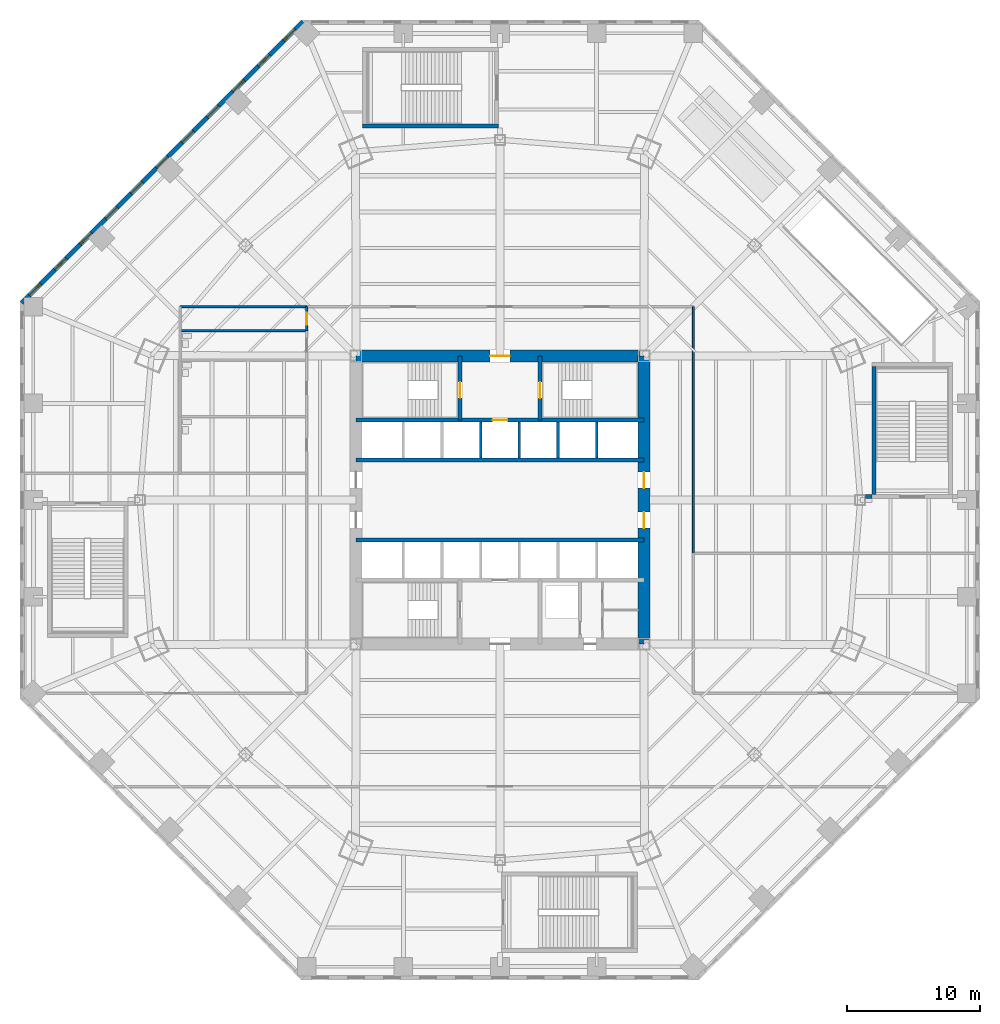
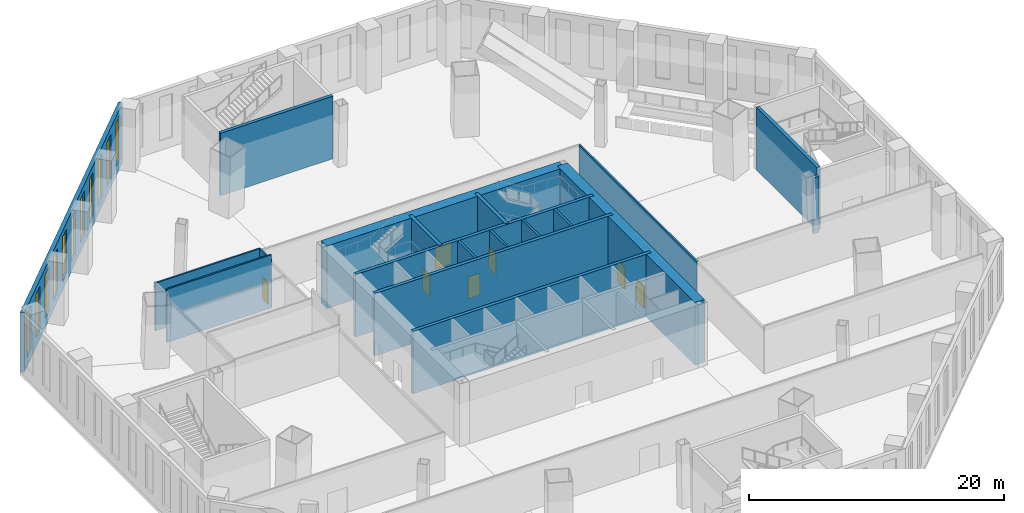
# One storey, part 11 of 20: 19 walls, 11 windows, 7 doors, 18 openings.
"""IFC4 building model written with IfcOpenShell, lengths in metres."""

from ifc_helpers import new_model, si_unit, direction, frame, frame_2d, origin, place, context, subcontext, project, spatial, rectangle, extrude, material, layer, layer_set, type_object, element, fill, save


model = new_model("IFC4")

# Units and contexts
model_context = context("Model", 3, precision=1e-05, world=origin(), true_north=direction((0.0, 1.0)))
body_context = subcontext(model_context, "Body", "Model", "MODEL_VIEW")
ifc_project = project(units=[si_unit("LENGTHUNIT", "METRE"), si_unit("AREAUNIT", "SQUARE_METRE"), si_unit("VOLUMEUNIT", "CUBIC_METRE"), si_unit("PLANEANGLEUNIT", "RADIAN"), si_unit("MASSUNIT", "GRAM", prefix="KILO")], contexts=[model_context])

# Site, building, storey
site_placement = place(None, origin())
site = spatial("IfcSite", under=ifc_project, at=site_placement, CompositionType="ELEMENT")
building_placement = place(site_placement, origin())
building = spatial("IfcBuilding", under=site, at=building_placement, Name="Mashrafa Tower", CompositionType="ELEMENT")
storey_placement = place(building_placement, frame((0.0, 0.0, 7.199951171875)))
storey = spatial("IfcBuildingStorey", under=building, at=storey_placement, Name="L01", CompositionType="ELEMENT", Elevation=7.199951171875)

# Wall
ifc_material_1 = material(Name="Concrete C60/75", Category="concrete")
ifc_layer_1 = layer(ifc_material_1, 0.300048828125)
ifc_layer_set_1 = layer_set([ifc_layer_1], Name="Core wall 300 C60/75")
wall_type_1 = type_object("IfcWallType", Name="Core wall 300 C60/75", PredefinedType="SOLIDWALL", material=ifc_layer_set_1)
wall_1_placement = place(storey_placement, frame((-10.800048828125, 3.0, 0.0), z_axis=(0.0, 0.0, 1.0), x_axis=(1.0, 0.0, 0.0)))
element("IfcWall", 1, at=wall_1_placement, inside=storey, type_object=wall_type_1, Name="Core wall CH-N L01", PredefinedType="SOLIDWALL", context=body_context, shape_type="SweptSolid", body=[
    extrude(rectangle(XDim=21.60009765625, YDim=0.300048828125, at=frame_2d((10.800048828125, 0.0))), origin(), (0.0, 0.0, 1.0), 6.0),
])

# Wall, opening, door
wall_2_placement = place(storey_placement, frame((-10.800048828125, 6.0, 0.0), z_axis=(0.0, 0.0, 1.0), x_axis=(1.0, 0.0, 0.0)))
wall_2 = element("IfcWall", 2, at=wall_2_placement, inside=storey, type_object=wall_type_1, Name="Core wall CB-N L01", PredefinedType="SOLIDWALL", context=body_context, shape_type="SweptSolid", body=[
    extrude(rectangle(XDim=21.60009765625, YDim=0.300048828125, at=frame_2d((10.800048828125, 0.0))), origin(), (0.0, 0.0, 1.0), 6.0),
])
opening_1_placement = place(wall_2_placement, frame((10.25, 0.0, 0.0)))
opening_1 = element("IfcOpeningElement", 3, at=opening_1_placement, cuts=wall_2, Name="Opening 01.F1", PredefinedType="OPENING", context=body_context, shape_type="SweptSolid", body=[
    extrude(rectangle(XDim=1.10009765625, YDim=2.10009765625, at=frame_2d((0.550048828125, 1.050048828125))), frame((0.0, 0.159912109375, 0.0), z_axis=(0.0, -1.0, 0.0), x_axis=(1.0, 0.0, 0.0)), (0.0, 0.0, 1.0), 0.320068359375),
])
ifc_material_2 = material(Name="Steel door", Category="steel")
door_type_1 = type_object("IfcDoorType", Name="Lift landing door 1100 x 2100 90 min", OperationType="DOUBLE_DOOR_SLIDING", PredefinedType="DOOR", material=ifc_material_2)
door_1_placement = place(opening_1_placement, origin())
door_1 = element("IfcDoor", 4, at=door_1_placement, inside=storey, type_object=door_type_1, Name="Lift landing door F1 L01", OperationType="DOUBLE_DOOR_SLIDING", OverallHeight=2.10009765625, OverallWidth=1.10009765625, PredefinedType="DOOR", context=body_context, shape_type="SweptSolid", body=[
    extrude(rectangle(XDim=1.10009765625, YDim=2.10009765625, at=frame_2d((0.550048828125, 1.050048828125))), frame((0.0, 0.02490234375, 0.0), z_axis=(0.0, -1.0, 0.0), x_axis=(1.0, 0.0, 0.0)), (0.0, 0.0, 1.0), 0.050048828125),
])
fill(opening_1, door_1)

wall_3_placement = place(storey_placement, frame((-3.0, 6.0, 0.0), z_axis=(0.0, 0.0, 1.0), x_axis=(0.0, 1.0, 0.0)))
wall_3 = element("IfcWall", 5, at=wall_3_placement, inside=storey, type_object=wall_type_1, Name="Core wall CX-NW L01", PredefinedType="SOLIDWALL", context=body_context, shape_type="SweptSolid", body=[
    extrude(rectangle(XDim=4.800048828125, YDim=0.300048828125, at=frame_2d((2.39990234375, 0.0))), origin(), (0.0, 0.0, 1.0), 6.0),
])
opening_2_placement = place(wall_3_placement, frame((1.64990234375, 0.0, 0.0)))
opening_2 = element("IfcOpeningElement", 6, at=opening_2_placement, cuts=wall_3, Name="Opening 01.017", PredefinedType="OPENING", context=body_context, shape_type="SweptSolid", body=[
    extrude(rectangle(XDim=1.199951171875, YDim=2.10009765625, at=frame_2d((0.60009765625, 1.050048828125))), frame((0.0, 0.159912109375, 0.0), z_axis=(0.0, -1.0, 0.0), x_axis=(1.0, 0.0, 0.0)), (0.0, 0.0, 1.0), 0.320068359375),
])
ifc_material_3 = material(Name="Steel door", Category="steel")
door_type_2 = type_object("IfcDoorType", Name="Stair door 1200 x 2100 90 min", OperationType="USERDEFINED", PredefinedType="DOOR", material=ifc_material_3)
door_2_placement = place(opening_2_placement, origin())
door_2 = element("IfcDoor", 7, at=door_2_placement, inside=storey, type_object=door_type_2, Name="Stair S1 door L01", OperationType="SINGLE_SWING_LEFT", OverallHeight=2.10009765625, OverallWidth=1.199951171875, PredefinedType="DOOR", context=body_context, shape_type="SweptSolid", body=[
    extrude(rectangle(XDim=1.199951171875, YDim=2.10009765625, at=frame_2d((0.60009765625, 1.050048828125))), frame((0.0, 0.02490234375, 0.0), z_axis=(0.0, -1.0, 0.0), x_axis=(1.0, 0.0, 0.0)), (0.0, 0.0, 1.0), 0.050048828125),
])
fill(opening_2, door_2)

wall_4_placement = place(storey_placement, frame((3.0, 6.0, 0.0), z_axis=(0.0, 0.0, 1.0), x_axis=(0.0, 1.0, 0.0)))
wall_4 = element("IfcWall", 8, at=wall_4_placement, inside=storey, type_object=wall_type_1, Name="Core wall CX-NE L01", PredefinedType="SOLIDWALL", context=body_context, shape_type="SweptSolid", body=[
    extrude(rectangle(XDim=4.800048828125, YDim=0.300048828125, at=frame_2d((2.39990234375, 0.0))), origin(), (0.0, 0.0, 1.0), 6.0),
])
opening_3_placement = place(wall_4_placement, frame((1.64990234375, 0.0, 0.0)))
opening_3 = element("IfcOpeningElement", 9, at=opening_3_placement, cuts=wall_4, Name="Opening 01.018", PredefinedType="OPENING", context=body_context, shape_type="SweptSolid", body=[
    extrude(rectangle(XDim=1.199951171875, YDim=2.10009765625, at=frame_2d((0.60009765625, 1.050048828125))), frame((0.0, 0.159912109375, 0.0), z_axis=(0.0, -1.0, 0.0), x_axis=(1.0, 0.0, 0.0)), (0.0, 0.0, 1.0), 0.320068359375),
])
door_3_placement = place(opening_3_placement, frame((1.199951171875, 0.0, 0.0), z_axis=(0.0, 0.0, 1.0), x_axis=(-1.0, 0.0, 0.0)))
door_3 = element("IfcDoor", 10, at=door_3_placement, inside=storey, type_object=door_type_2, Name="Stair S2 door L01", OperationType="SINGLE_SWING_RIGHT", OverallHeight=2.10009765625, OverallWidth=1.199951171875, PredefinedType="DOOR", context=body_context, shape_type="SweptSolid", body=[
    extrude(rectangle(XDim=1.199951171875, YDim=2.10009765625, at=frame_2d((0.60009765625, 1.050048828125))), frame((0.0, 0.02490234375, 0.0), z_axis=(0.0, -1.0, 0.0), x_axis=(1.0, 0.0, 0.0)), (0.0, 0.0, 1.0), 0.050048828125),
])
fill(opening_3, door_3)

# Wall
wall_5_placement = place(storey_placement, frame((-10.800048828125, -3.0, 0.0), z_axis=(0.0, 0.0, 1.0), x_axis=(1.0, 0.0, 0.0)))
element("IfcWall", 11, at=wall_5_placement, inside=storey, type_object=wall_type_1, Name="Core wall CH-S L01", PredefinedType="SOLIDWALL", context=body_context, shape_type="SweptSolid", body=[
    extrude(rectangle(XDim=21.60009765625, YDim=0.300048828125, at=frame_2d((10.800048828125, 0.0))), origin(), (0.0, 0.0, 1.0), 6.0),
])

# Wall, openings, doors
ifc_material_4 = material(Name="Concrete C60/75", Category="concrete")
ifc_layer_2 = layer(ifc_material_4, 0.89990234375)
ifc_layer_set_2 = layer_set([ifc_layer_2], Name="Core wall 900 C60/75")
wall_type_2 = type_object("IfcWallType", Name="Core wall 900 C60/75", PredefinedType="SOLIDWALL", material=ifc_layer_set_2)
wall_6_placement = place(storey_placement, frame((10.800048828125, -10.800048828125, 0.0), z_axis=(0.0, 0.0, 1.0), x_axis=(0.0, 1.0, 0.0)))
wall_6 = element("IfcWall", 12, at=wall_6_placement, inside=storey, type_object=wall_type_2, Name="Core wall CW-E L01", PredefinedType="SOLIDWALL", context=body_context, shape_type="SweptSolid", body=[
    extrude(rectangle(XDim=21.60009765625, YDim=0.89990234375, at=frame_2d((10.800048828125, 0.0))), origin(), (0.0, 0.0, 1.0), 6.0),
])
opening_4_placement = place(wall_6_placement, frame((11.699951171875, 0.0, 0.0)))
opening_4 = element("IfcOpeningElement", 13, at=opening_4_placement, cuts=wall_6, Name="Opening 01.011", PredefinedType="OPENING", context=body_context, shape_type="SweptSolid", body=[
    extrude(rectangle(XDim=1.199951171875, YDim=2.10009765625, at=frame_2d((0.60009765625, 1.050048828125))), frame((0.0, 0.4599609375, 0.0), z_axis=(0.0, -1.0, 0.0), x_axis=(1.0, 0.0, 0.0)), (0.0, 0.0, 1.0), 0.919921875),
])
opening_5_placement = place(wall_6_placement, frame((8.699951171875, 0.0, 0.0)))
opening_5 = element("IfcOpeningElement", 14, at=opening_5_placement, cuts=wall_6, Name="Opening 01.013", PredefinedType="OPENING", context=body_context, shape_type="SweptSolid", body=[
    extrude(rectangle(XDim=1.199951171875, YDim=2.10009765625, at=frame_2d((0.60009765625, 1.050048828125))), frame((0.0, 0.4599609375, 0.0), z_axis=(0.0, -1.0, 0.0), x_axis=(1.0, 0.0, 0.0)), (0.0, 0.0, 1.0), 0.919921875),
])
ifc_material_5 = material(Name="Steel door", Category="steel")
door_type_3 = type_object("IfcDoorType", Name="Lift hall door 1200 x 2100 90 min", OperationType="USERDEFINED", PredefinedType="DOOR", material=ifc_material_5)
door_4_placement = place(opening_4_placement, frame((1.199951171875, 0.0, 0.0), z_axis=(0.0, 0.0, 1.0), x_axis=(-1.0, 0.0, 0.0)))
door_4 = element("IfcDoor", 15, at=door_4_placement, inside=storey, type_object=door_type_3, Name="Lift hall door east L01", OperationType="SINGLE_SWING_LEFT", OverallHeight=2.10009765625, OverallWidth=1.199951171875, PredefinedType="DOOR", context=body_context, shape_type="SweptSolid", body=[
    extrude(rectangle(XDim=1.199951171875, YDim=2.10009765625, at=frame_2d((0.60009765625, 1.050048828125))), frame((0.0, 0.02490234375, 0.0), z_axis=(0.0, -1.0, 0.0), x_axis=(1.0, 0.0, 0.0)), (0.0, 0.0, 1.0), 0.050048828125),
])
fill(opening_4, door_4)
door_5_placement = place(opening_5_placement, frame((1.199951171875, 0.0, 0.0), z_axis=(0.0, 0.0, 1.0), x_axis=(-1.0, 0.0, 0.0)))
door_5 = element("IfcDoor", 16, at=door_5_placement, inside=storey, type_object=door_type_3, Name="Lift hall door east L01", OperationType="SINGLE_SWING_LEFT", OverallHeight=2.10009765625, OverallWidth=1.199951171875, PredefinedType="DOOR", context=body_context, shape_type="SweptSolid", body=[
    extrude(rectangle(XDim=1.199951171875, YDim=2.10009765625, at=frame_2d((0.60009765625, 1.050048828125))), frame((0.0, 0.02490234375, 0.0), z_axis=(0.0, -1.0, 0.0), x_axis=(1.0, 0.0, 0.0)), (0.0, 0.0, 1.0), 0.050048828125),
])
fill(opening_5, door_5)

# Wall, opening, door
wall_7_placement = place(storey_placement, frame((10.800048828125, 10.800048828125, 0.0), z_axis=(0.0, 0.0, 1.0), x_axis=(-1.0, 0.0, 0.0)))
wall_7 = element("IfcWall", 17, at=wall_7_placement, inside=storey, type_object=wall_type_2, Name="Core wall CW-N L01", PredefinedType="SOLIDWALL", context=body_context, shape_type="SweptSolid", body=[
    extrude(rectangle(XDim=21.60009765625, YDim=0.89990234375, at=frame_2d((10.800048828125, 0.0))), origin(), (0.0, 0.0, 1.0), 6.0),
])
opening_6_placement = place(wall_7_placement, frame((10.050048828125, 0.0, 0.0)))
opening_6 = element("IfcOpeningElement", 18, at=opening_6_placement, cuts=wall_7, Name="Opening 01.015", PredefinedType="OPENING", context=body_context, shape_type="SweptSolid", body=[
    extrude(rectangle(XDim=1.5, YDim=2.10009765625, at=frame_2d((0.75, 1.050048828125))), frame((0.0, 0.4599609375, 0.0), z_axis=(0.0, -1.0, 0.0), x_axis=(1.0, 0.0, 0.0)), (0.0, 0.0, 1.0), 0.919921875),
])
ifc_material_6 = material(Name="Steel door", Category="steel")
door_type_4 = type_object("IfcDoorType", Name="Lobby door pair 1500 x 2100 90 min", OperationType="DOUBLE_DOOR_SINGLE_SWING", PredefinedType="DOOR", material=ifc_material_6)
door_6_placement = place(opening_6_placement, origin())
door_6 = element("IfcDoor", 19, at=door_6_placement, inside=storey, type_object=door_type_4, Name="Fire-fighting lobby F1 door L01", OperationType="DOUBLE_DOOR_SINGLE_SWING", OverallHeight=2.10009765625, OverallWidth=1.5, PredefinedType="DOOR", context=body_context, shape_type="SweptSolid", body=[
    extrude(rectangle(XDim=1.5, YDim=2.10009765625, at=frame_2d((0.75, 1.050048828125))), frame((0.0, 0.02490234375, 0.0), z_axis=(0.0, -1.0, 0.0), x_axis=(1.0, 0.0, 0.0)), (0.0, 0.0, 1.0), 0.050048828125),
])
fill(opening_6, door_6)

ifc_material_7 = material(Name="Gypsum board on steel studs", Category="steel")
ifc_layer_3 = layer(ifc_material_7, 0.14990234375)
ifc_layer_set_3 = layer_set([ifc_layer_3], Name="Corridor partition 150 1 hr")
wall_type_3 = type_object("IfcWallType", Name="Corridor partition 150 1 hr", PredefinedType="PARTITIONING", material=ifc_layer_set_3)
wall_8_placement = place(storey_placement, frame((-14.5, 12.699951171875, 0.0), z_axis=(0.0, 0.0, 1.0), x_axis=(0.0, 1.0, 0.0)))
wall_8 = element("IfcWall", 20, at=wall_8_placement, inside=storey, type_object=wall_type_3, Name="Corridor wall L01-011", PredefinedType="PARTITIONING", context=body_context, shape_type="SweptSolid", body=[
    extrude(rectangle(XDim=1.800048828125, YDim=0.14990234375, at=frame_2d((0.89990234375, 0.0))), origin(), (0.0, 0.0, 1.0), 4.590087890625),
])
opening_7_placement = place(wall_8_placement, frame((0.449951171875, 0.0, 0.0)))
opening_7 = element("IfcOpeningElement", 21, at=opening_7_placement, cuts=wall_8, Name="Opening 01.004", PredefinedType="OPENING", context=body_context, shape_type="SweptSolid", body=[
    extrude(rectangle(XDim=0.89990234375, YDim=2.10009765625, at=frame_2d((0.449951171875, 1.050048828125))), frame((0.0, 0.0849609375, 0.0), z_axis=(0.0, -1.0, 0.0), x_axis=(1.0, 0.0, 0.0)), (0.0, 0.0, 1.0), 0.169921875),
])
ifc_material_8 = material(Name="Timber door", Category="wood")
door_type_5 = type_object("IfcDoorType", Name="Store door 900 x 2100", OperationType="USERDEFINED", PredefinedType="DOOR", material=ifc_material_8)
door_7_placement = place(opening_7_placement, origin())
door_7 = element("IfcDoor", 22, at=door_7_placement, inside=storey, type_object=door_type_5, Name="Cleaner's Store L01 door", OperationType="SINGLE_SWING_LEFT", OverallHeight=2.10009765625, OverallWidth=0.89990234375, PredefinedType="DOOR", context=body_context, shape_type="SweptSolid", body=[
    extrude(rectangle(XDim=0.89990234375, YDim=2.10009765625, at=frame_2d((0.449951171875, 1.050048828125))), frame((0.0, 0.02490234375, 0.0), z_axis=(0.0, -1.0, 0.0), x_axis=(1.0, 0.0, 0.0)), (0.0, 0.0, 1.0), 0.050048828125),
])
fill(opening_7, door_7)

# Wall
wall_9_placement = place(storey_placement, frame((14.5, -4.0009765625, 0.0), z_axis=(0.0, 0.0, 1.0), x_axis=(0.0, 1.0, 0.0)))
element("IfcWall", 23, at=wall_9_placement, inside=storey, type_object=wall_type_3, Name="Corridor wall L01-020", PredefinedType="PARTITIONING", context=body_context, shape_type="SweptSolid", body=[
    extrude(rectangle(XDim=18.5009765625, YDim=0.14990234375, at=frame_2d((9.25048828125, 0.0))), origin(), (0.0, 0.0, 1.0), 4.39013671875),
])

# Wall, openings, windows
ifc_material_9 = material(Name="Riyadh limestone cladding on blockwork", Category="masonry")
ifc_layer_4 = layer(ifc_material_9, 0.35009765625)
ifc_layer_set_4 = layer_set([ifc_layer_4], Name="Limestone-clad external wall 350")
wall_type_4 = type_object("IfcWallType", Name="Limestone-clad external wall 350", PredefinedType="SOLIDWALL", material=ifc_layer_set_4)
wall_10_placement = place(storey_placement, frame((-14.787841796875, 35.876220703125, 0.0), z_axis=(0.0, 0.0, 1.0), x_axis=(-0.707106781187, -0.707106781187, 0.0)))
wall_10 = element("IfcWall", 24, at=wall_10_placement, inside=storey, type_object=wall_type_4, Name="Limestone-clad external wall L01 north-west", PredefinedType="SOLIDWALL", context=body_context, shape_type="SweptSolid", body=[
    extrude(rectangle(XDim=29.823486328125, YDim=0.35009765625, at=frame_2d((14.91162109375, 0.0))), origin(), (0.0, 0.0, 1.0), 5.699951171875),
])
opening_8_placement = place(wall_10_placement, frame((0.821533203125, 0.0, 0.89990234375)))
opening_8 = element("IfcOpeningElement", 25, at=opening_8_placement, cuts=wall_10, Name="Opening W1", PredefinedType="OPENING", context=body_context, shape_type="SweptSolid", body=[
    extrude(rectangle(XDim=1.199951171875, YDim=4.199951171875, at=frame_2d((0.60009765625, 2.10009765625))), frame((0.0, 0.18505859375, 0.0), z_axis=(0.0, -1.0, 0.0), x_axis=(1.0, 0.0, 0.0)), (0.0, 0.0, 1.0), 0.3701171875),
])
opening_9_placement = place(wall_10_placement, frame((3.51953125, 0.0, 0.89990234375)))
opening_9 = element("IfcOpeningElement", 26, at=opening_9_placement, cuts=wall_10, Name="Opening W1", PredefinedType="OPENING", context=body_context, shape_type="SweptSolid", body=[
    extrude(rectangle(XDim=1.199951171875, YDim=4.199951171875, at=frame_2d((0.60009765625, 2.10009765625))), frame((0.0, 0.18505859375, 0.0), z_axis=(0.0, -1.0, 0.0), x_axis=(1.0, 0.0, 0.0)), (0.0, 0.0, 1.0), 0.3701171875),
])
opening_10_placement = place(wall_10_placement, frame((6.217529296875, 0.0, 0.89990234375)))
opening_10 = element("IfcOpeningElement", 27, at=opening_10_placement, cuts=wall_10, Name="Opening W1", PredefinedType="OPENING", context=body_context, shape_type="SweptSolid", body=[
    extrude(rectangle(XDim=1.199951171875, YDim=4.199951171875, at=frame_2d((0.60009765625, 2.10009765625))), frame((0.0, 0.18505859375, 0.0), z_axis=(0.0, -1.0, 0.0), x_axis=(1.0, 0.0, 0.0)), (0.0, 0.0, 1.0), 0.3701171875),
])
opening_11_placement = place(wall_10_placement, frame((8.91552734375, 0.0, 0.89990234375)))
opening_11 = element("IfcOpeningElement", 28, at=opening_11_placement, cuts=wall_10, Name="Opening W1", PredefinedType="OPENING", context=body_context, shape_type="SweptSolid", body=[
    extrude(rectangle(XDim=1.199951171875, YDim=4.199951171875, at=frame_2d((0.60009765625, 2.10009765625))), frame((0.0, 0.18505859375, 0.0), z_axis=(0.0, -1.0, 0.0), x_axis=(1.0, 0.0, 0.0)), (0.0, 0.0, 1.0), 0.3701171875),
])
opening_12_placement = place(wall_10_placement, frame((11.61376953125, 0.0, 0.89990234375)))
opening_12 = element("IfcOpeningElement", 29, at=opening_12_placement, cuts=wall_10, Name="Opening W1", PredefinedType="OPENING", context=body_context, shape_type="SweptSolid", body=[
    extrude(rectangle(XDim=1.199951171875, YDim=4.199951171875, at=frame_2d((0.60009765625, 2.10009765625))), frame((0.0, 0.18505859375, 0.0), z_axis=(0.0, -1.0, 0.0), x_axis=(1.0, 0.0, 0.0)), (0.0, 0.0, 1.0), 0.3701171875),
])
opening_13_placement = place(wall_10_placement, frame((14.311767578125, 0.0, 0.89990234375)))
opening_13 = element("IfcOpeningElement", 30, at=opening_13_placement, cuts=wall_10, Name="Opening W1", PredefinedType="OPENING", context=body_context, shape_type="SweptSolid", body=[
    extrude(rectangle(XDim=1.199951171875, YDim=4.199951171875, at=frame_2d((0.60009765625, 2.10009765625))), frame((0.0, 0.18505859375, 0.0), z_axis=(0.0, -1.0, 0.0), x_axis=(1.0, 0.0, 0.0)), (0.0, 0.0, 1.0), 0.3701171875),
])
opening_14_placement = place(wall_10_placement, frame((17.009765625, 0.0, 0.89990234375)))
opening_14 = element("IfcOpeningElement", 31, at=opening_14_placement, cuts=wall_10, Name="Opening W1", PredefinedType="OPENING", context=body_context, shape_type="SweptSolid", body=[
    extrude(rectangle(XDim=1.199951171875, YDim=4.199951171875, at=frame_2d((0.60009765625, 2.10009765625))), frame((0.0, 0.18505859375, 0.0), z_axis=(0.0, -1.0, 0.0), x_axis=(1.0, 0.0, 0.0)), (0.0, 0.0, 1.0), 0.3701171875),
])
opening_15_placement = place(wall_10_placement, frame((19.707763671875, 0.0, 0.89990234375)))
opening_15 = element("IfcOpeningElement", 32, at=opening_15_placement, cuts=wall_10, Name="Opening W1", PredefinedType="OPENING", context=body_context, shape_type="SweptSolid", body=[
    extrude(rectangle(XDim=1.199951171875, YDim=4.199951171875, at=frame_2d((0.60009765625, 2.10009765625))), frame((0.0, 0.18505859375, 0.0), z_axis=(0.0, -1.0, 0.0), x_axis=(1.0, 0.0, 0.0)), (0.0, 0.0, 1.0), 0.3701171875),
])
opening_16_placement = place(wall_10_placement, frame((22.40576171875, 0.0, 0.89990234375)))
opening_16 = element("IfcOpeningElement", 33, at=opening_16_placement, cuts=wall_10, Name="Opening W1", PredefinedType="OPENING", context=body_context, shape_type="SweptSolid", body=[
    extrude(rectangle(XDim=1.199951171875, YDim=4.199951171875, at=frame_2d((0.60009765625, 2.10009765625))), frame((0.0, 0.18505859375, 0.0), z_axis=(0.0, -1.0, 0.0), x_axis=(1.0, 0.0, 0.0)), (0.0, 0.0, 1.0), 0.3701171875),
])
opening_17_placement = place(wall_10_placement, frame((25.103759765625, 0.0, 0.89990234375)))
opening_17 = element("IfcOpeningElement", 34, at=opening_17_placement, cuts=wall_10, Name="Opening W1", PredefinedType="OPENING", context=body_context, shape_type="SweptSolid", body=[
    extrude(rectangle(XDim=1.199951171875, YDim=4.199951171875, at=frame_2d((0.60009765625, 2.10009765625))), frame((0.0, 0.18505859375, 0.0), z_axis=(0.0, -1.0, 0.0), x_axis=(1.0, 0.0, 0.0)), (0.0, 0.0, 1.0), 0.3701171875),
])
opening_18_placement = place(wall_10_placement, frame((27.8017578125, 0.0, 0.89990234375)))
opening_18 = element("IfcOpeningElement", 35, at=opening_18_placement, cuts=wall_10, Name="Opening W1", PredefinedType="OPENING", context=body_context, shape_type="SweptSolid", body=[
    extrude(rectangle(XDim=1.199951171875, YDim=4.199951171875, at=frame_2d((0.60009765625, 2.10009765625))), frame((0.0, 0.18505859375, 0.0), z_axis=(0.0, -1.0, 0.0), x_axis=(1.0, 0.0, 0.0)), (0.0, 0.0, 1.0), 0.3701171875),
])
ifc_material_10 = material(Name="Bronze-framed insulated glazing", Category="glass")
window_type = type_object("IfcWindowType", Name="Tall punched window 1200 x 4200", PartitioningType="DOUBLE_PANEL_HORIZONTAL", PredefinedType="WINDOW", material=ifc_material_10)
window_1_placement = place(opening_8_placement, origin())
window_1 = element("IfcWindow", 36, at=window_1_placement, inside=storey, type_object=window_type, Name="Window W1 L01 north-west bay 1", OverallHeight=4.199951171875, OverallWidth=1.199951171875, PartitioningType="SINGLE_PANEL", PredefinedType="WINDOW", context=body_context, shape_type="SweptSolid", body=[
    extrude(rectangle(XDim=1.199951171875, YDim=4.199951171875, at=frame_2d((0.60009765625, 2.10009765625))), frame((0.0, 0.030029296875, 0.0), z_axis=(0.0, -1.0, 0.0), x_axis=(1.0, 0.0, 0.0)), (0.0, 0.0, 1.0), 0.06005859375),
])
fill(opening_8, window_1)
window_2_placement = place(opening_9_placement, origin())
window_2 = element("IfcWindow", 37, at=window_2_placement, inside=storey, type_object=window_type, Name="Window W1 L01 north-west bay 2", OverallHeight=4.199951171875, OverallWidth=1.199951171875, PartitioningType="SINGLE_PANEL", PredefinedType="WINDOW", context=body_context, shape_type="SweptSolid", body=[
    extrude(rectangle(XDim=1.199951171875, YDim=4.199951171875, at=frame_2d((0.60009765625, 2.10009765625))), frame((0.0, 0.030029296875, 0.0), z_axis=(0.0, -1.0, 0.0), x_axis=(1.0, 0.0, 0.0)), (0.0, 0.0, 1.0), 0.06005859375),
])
fill(opening_9, window_2)
window_3_placement = place(opening_10_placement, origin())
window_3 = element("IfcWindow", 38, at=window_3_placement, inside=storey, type_object=window_type, Name="Window W1 L01 north-west bay 3", OverallHeight=4.199951171875, OverallWidth=1.199951171875, PartitioningType="SINGLE_PANEL", PredefinedType="WINDOW", context=body_context, shape_type="SweptSolid", body=[
    extrude(rectangle(XDim=1.199951171875, YDim=4.199951171875, at=frame_2d((0.60009765625, 2.10009765625))), frame((0.0, 0.030029296875, 0.0), z_axis=(0.0, -1.0, 0.0), x_axis=(1.0, 0.0, 0.0)), (0.0, 0.0, 1.0), 0.06005859375),
])
fill(opening_10, window_3)
window_4_placement = place(opening_11_placement, origin())
window_4 = element("IfcWindow", 39, at=window_4_placement, inside=storey, type_object=window_type, Name="Window W1 L01 north-west bay 4", OverallHeight=4.199951171875, OverallWidth=1.199951171875, PartitioningType="SINGLE_PANEL", PredefinedType="WINDOW", context=body_context, shape_type="SweptSolid", body=[
    extrude(rectangle(XDim=1.199951171875, YDim=4.199951171875, at=frame_2d((0.60009765625, 2.10009765625))), frame((0.0, 0.030029296875, 0.0), z_axis=(0.0, -1.0, 0.0), x_axis=(1.0, 0.0, 0.0)), (0.0, 0.0, 1.0), 0.06005859375),
])
fill(opening_11, window_4)
window_5_placement = place(opening_12_placement, origin())
window_5 = element("IfcWindow", 40, at=window_5_placement, inside=storey, type_object=window_type, Name="Window W1 L01 north-west bay 5", OverallHeight=4.199951171875, OverallWidth=1.199951171875, PartitioningType="SINGLE_PANEL", PredefinedType="WINDOW", context=body_context, shape_type="SweptSolid", body=[
    extrude(rectangle(XDim=1.199951171875, YDim=4.199951171875, at=frame_2d((0.60009765625, 2.10009765625))), frame((0.0, 0.030029296875, 0.0), z_axis=(0.0, -1.0, 0.0), x_axis=(1.0, 0.0, 0.0)), (0.0, 0.0, 1.0), 0.06005859375),
])
fill(opening_12, window_5)
window_6_placement = place(opening_13_placement, origin())
window_6 = element("IfcWindow", 41, at=window_6_placement, inside=storey, type_object=window_type, Name="Window W1 L01 north-west bay 6", OverallHeight=4.199951171875, OverallWidth=1.199951171875, PartitioningType="SINGLE_PANEL", PredefinedType="WINDOW", context=body_context, shape_type="SweptSolid", body=[
    extrude(rectangle(XDim=1.199951171875, YDim=4.199951171875, at=frame_2d((0.60009765625, 2.10009765625))), frame((0.0, 0.030029296875, 0.0), z_axis=(0.0, -1.0, 0.0), x_axis=(1.0, 0.0, 0.0)), (0.0, 0.0, 1.0), 0.06005859375),
])
fill(opening_13, window_6)
window_7_placement = place(opening_14_placement, origin())
window_7 = element("IfcWindow", 42, at=window_7_placement, inside=storey, type_object=window_type, Name="Window W1 L01 north-west bay 7", OverallHeight=4.199951171875, OverallWidth=1.199951171875, PartitioningType="SINGLE_PANEL", PredefinedType="WINDOW", context=body_context, shape_type="SweptSolid", body=[
    extrude(rectangle(XDim=1.199951171875, YDim=4.199951171875, at=frame_2d((0.60009765625, 2.10009765625))), frame((0.0, 0.030029296875, 0.0), z_axis=(0.0, -1.0, 0.0), x_axis=(1.0, 0.0, 0.0)), (0.0, 0.0, 1.0), 0.06005859375),
])
fill(opening_14, window_7)
window_8_placement = place(opening_15_placement, origin())
window_8 = element("IfcWindow", 43, at=window_8_placement, inside=storey, type_object=window_type, Name="Window W1 L01 north-west bay 8", OverallHeight=4.199951171875, OverallWidth=1.199951171875, PartitioningType="SINGLE_PANEL", PredefinedType="WINDOW", context=body_context, shape_type="SweptSolid", body=[
    extrude(rectangle(XDim=1.199951171875, YDim=4.199951171875, at=frame_2d((0.60009765625, 2.10009765625))), frame((0.0, 0.030029296875, 0.0), z_axis=(0.0, -1.0, 0.0), x_axis=(1.0, 0.0, 0.0)), (0.0, 0.0, 1.0), 0.06005859375),
])
fill(opening_15, window_8)
window_9_placement = place(opening_16_placement, origin())
window_9 = element("IfcWindow", 44, at=window_9_placement, inside=storey, type_object=window_type, Name="Window W1 L01 north-west bay 9", OverallHeight=4.199951171875, OverallWidth=1.199951171875, PartitioningType="SINGLE_PANEL", PredefinedType="WINDOW", context=body_context, shape_type="SweptSolid", body=[
    extrude(rectangle(XDim=1.199951171875, YDim=4.199951171875, at=frame_2d((0.60009765625, 2.10009765625))), frame((0.0, 0.030029296875, 0.0), z_axis=(0.0, -1.0, 0.0), x_axis=(1.0, 0.0, 0.0)), (0.0, 0.0, 1.0), 0.06005859375),
])
fill(opening_16, window_9)
window_10_placement = place(opening_17_placement, origin())
window_10 = element("IfcWindow", 45, at=window_10_placement, inside=storey, type_object=window_type, Name="Window W1 L01 north-west bay 10", OverallHeight=4.199951171875, OverallWidth=1.199951171875, PartitioningType="SINGLE_PANEL", PredefinedType="WINDOW", context=body_context, shape_type="SweptSolid", body=[
    extrude(rectangle(XDim=1.199951171875, YDim=4.199951171875, at=frame_2d((0.60009765625, 2.10009765625))), frame((0.0, 0.030029296875, 0.0), z_axis=(0.0, -1.0, 0.0), x_axis=(1.0, 0.0, 0.0)), (0.0, 0.0, 1.0), 0.06005859375),
])
fill(opening_17, window_10)
window_11_placement = place(opening_18_placement, origin())
window_11 = element("IfcWindow", 46, at=window_11_placement, inside=storey, type_object=window_type, Name="Window W1 L01 north-west bay 11", OverallHeight=4.199951171875, OverallWidth=1.199951171875, PartitioningType="SINGLE_PANEL", PredefinedType="WINDOW", context=body_context, shape_type="SweptSolid", body=[
    extrude(rectangle(XDim=1.199951171875, YDim=4.199951171875, at=frame_2d((0.60009765625, 2.10009765625))), frame((0.0, 0.030029296875, 0.0), z_axis=(0.0, -1.0, 0.0), x_axis=(1.0, 0.0, 0.0)), (0.0, 0.0, 1.0), 0.06005859375),
])
fill(opening_18, window_11)

# Walls
ifc_material_11 = material(Name="Gypsum board on steel studs", Category="steel")
ifc_layer_5 = layer(ifc_material_11, 0.14990234375)
ifc_layer_set_5 = layer_set([ifc_layer_5], Name="Partition 150")
wall_type_5 = type_object("IfcWallType", Name="Partition 150", PredefinedType="PARTITIONING", material=ifc_layer_set_5)
wall_11_placement = place(storey_placement, frame((-14.5, 12.699951171875, 0.0), z_axis=(0.0, 0.0, 1.0), x_axis=(-1.0, 0.0, 0.0)))
element("IfcWall", 47, at=wall_11_placement, inside=storey, type_object=wall_type_5, Name="Partition wall L01-008", PredefinedType="PARTITIONING", context=body_context, shape_type="SweptSolid", body=[
    extrude(rectangle(XDim=9.5, YDim=0.14990234375, at=frame_2d((4.75, 0.0))), origin(), (0.0, 0.0, 1.0), 5.088134765625),
])
wall_12_placement = place(storey_placement, frame((-14.5, 14.5, 0.0), z_axis=(0.0, 0.0, 1.0), x_axis=(-1.0, 0.0, 0.0)))
element("IfcWall", 48, at=wall_12_placement, inside=storey, type_object=wall_type_5, Name="Partition wall L01-012", PredefinedType="PARTITIONING", context=body_context, shape_type="SweptSolid", body=[
    extrude(rectangle(XDim=9.5, YDim=0.14990234375, at=frame_2d((4.75, 0.0))), origin(), (0.0, 0.0, 1.0), 4.590087890625),
])
ifc_material_12 = material(Name="Gypsum shaft wall on steel studs", Category="steel")
ifc_layer_6 = layer(ifc_material_12, 0.199951171875)
ifc_layer_set_6 = layer_set([ifc_layer_6], Name="Shaft divider wall 200 2 hr")
wall_type_6 = type_object("IfcWallType", Name="Shaft divider wall 200 2 hr", PredefinedType="PARTITIONING", material=ifc_layer_set_6)
for number, where, z_axis, x_axis, name in (
    (49, (-1.449951171875, 3.14990234375, 0.0), (0.0, 0.0, 1.0), (0.0, 1.0, 0.0), "Shaft divider wall N3 L01"),
    (50, (1.449951171875, 3.14990234375, 0.0), (0.0, 0.0, 1.0), (0.0, 1.0, 0.0), "Shaft divider wall N4 L01"),
    (51, (4.35009765625, 3.14990234375, 0.0), (0.0, 0.0, 1.0), (0.0, 1.0, 0.0), "Shaft divider wall N5 L01"),
    (52, (7.25, 3.14990234375, 0.0), (0.0, 0.0, 1.0), (0.0, 1.0, 0.0), "Shaft divider wall N6 L01"),
):
    element("IfcWall", number, at=place(storey_placement, frame(where, z_axis=z_axis, x_axis=x_axis)), inside=storey, type_object=wall_type_6, Name=name, PredefinedType="PARTITIONING", context=body_context, shape_type="SweptSolid", body=[
        extrude(rectangle(XDim=2.7001953125, YDim=0.199951171875, at=frame_2d((1.35009765625, 0.0))), origin(), (0.0, 0.0, 1.0), 6.0),
    ])
ifc_material_13 = material(Name="Concrete C35/45", Category="concrete")
ifc_layer_7 = layer(ifc_material_13, 0.300048828125)
ifc_layer_set_7 = layer_set([ifc_layer_7], Name="Stair core wall 300 3 hr")
wall_type_7 = type_object("IfcWallType", Name="Stair core wall 300 3 hr", PredefinedType="SOLIDWALL", material=ifc_layer_set_7)
wall_13_placement = place(storey_placement, frame((27.89990234375, 0.25, 0.0), z_axis=(0.0, 0.0, 1.0), x_axis=(-1.0, 0.0, 0.0)))
element("IfcWall", 53, at=wall_13_placement, inside=storey, type_object=wall_type_7, Name="Stair P1 core wall S L01 end piece 1", PredefinedType="SOLIDWALL", context=body_context, shape_type="SweptSolid", body=[
    extrude(rectangle(XDim=0.489013671875, YDim=0.300048828125, at=frame_2d((0.24462890625, 0.0))), origin(), (0.0, 0.0, 1.0), 5.344482421875),
])
wall_14_placement = place(storey_placement, frame((28.050048828125, 10.0, 0.0), z_axis=(0.0, 0.0, 1.0), x_axis=(0.0, -1.0, 0.0)))
element("IfcWall", 54, at=wall_14_placement, inside=storey, type_object=wall_type_7, Name="Stair P1 core wall W L01", PredefinedType="SOLIDWALL", context=body_context, shape_type="SweptSolid", body=[
    extrude(rectangle(XDim=9.60009765625, YDim=0.300048828125, at=frame_2d((4.800048828125, 0.0))), origin(), (0.0, 0.0, 1.0), 6.0),
])
wall_15_placement = place(storey_placement, frame((-10.300048828125, 28.050048828125, 0.0), z_axis=(0.0, 0.0, 1.0), x_axis=(1.0, 0.0, 0.0)))
element("IfcWall", 55, at=wall_15_placement, inside=storey, type_object=wall_type_7, Name="Stair P2 core wall S L01", PredefinedType="SOLIDWALL", context=body_context, shape_type="SweptSolid", body=[
    extrude(rectangle(XDim=10.199951171875, YDim=0.300048828125, at=frame_2d((5.10009765625, 0.0))), origin(), (0.0, 0.0, 1.0), 6.0),
])

save(model, "model.ifc")
